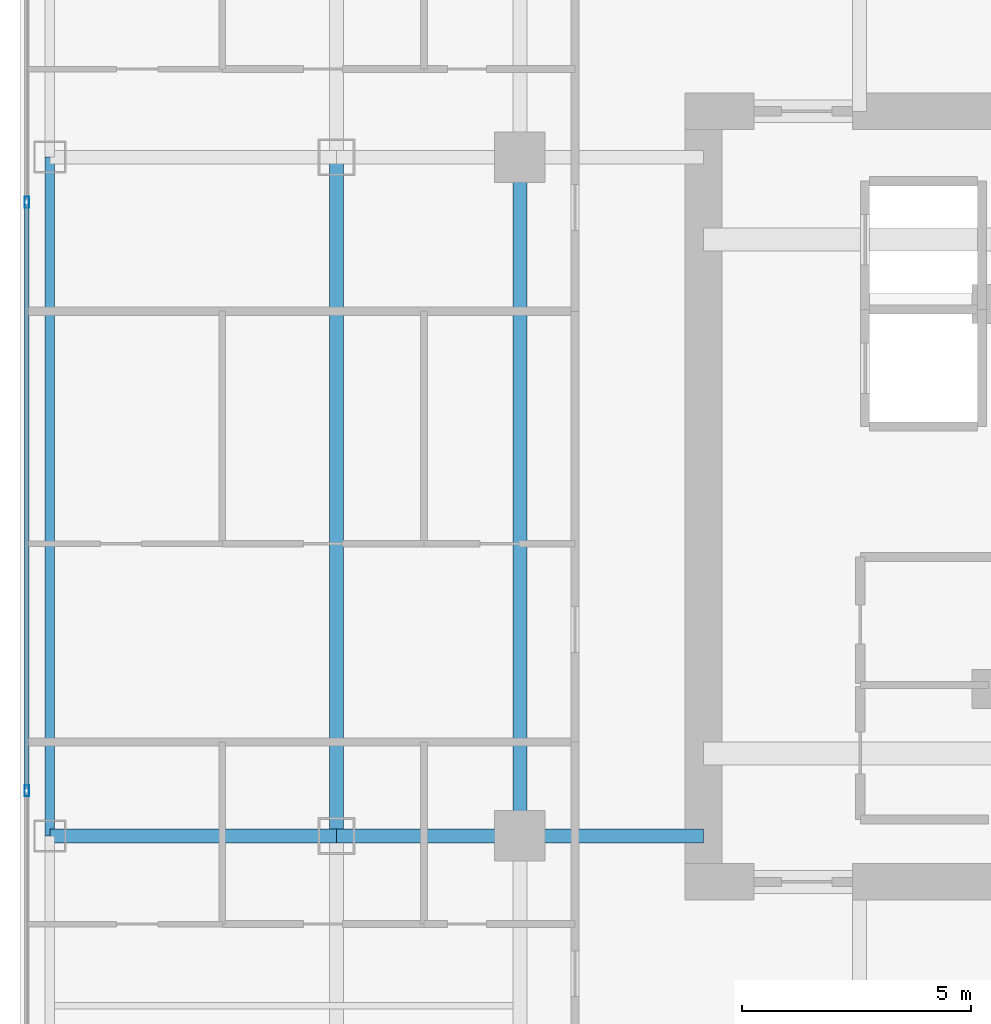
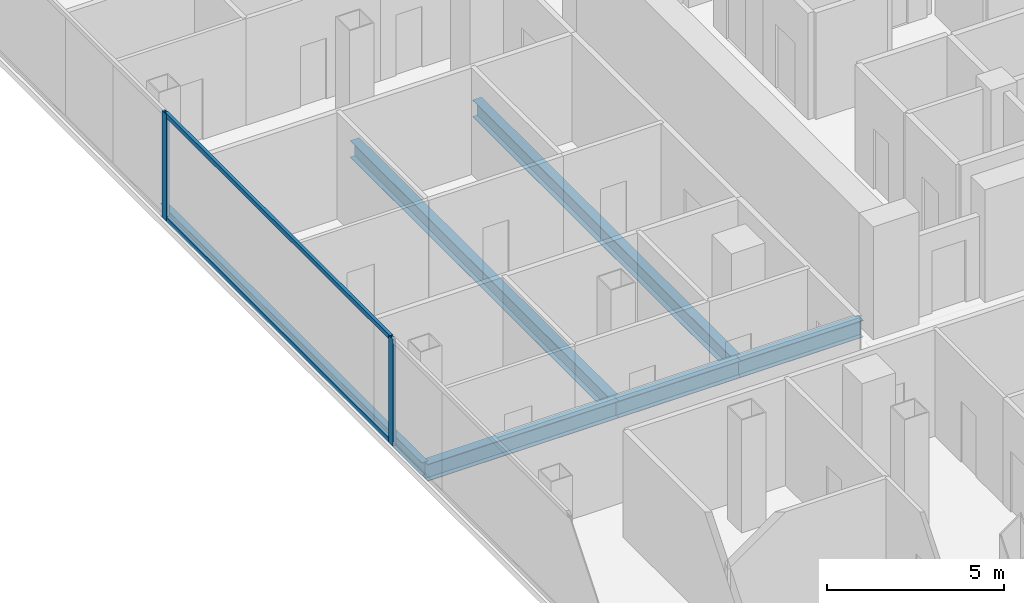
# One storey, part 5 of 26: 6 beams, 4 members, 1 element without a shape of its own.
"""IFC4 building model written with IfcOpenShell, lengths in metres."""

from ifc_helpers import new_model, si_unit, direction, frame, origin, origin_2d, place, context, subcontext, project, spatial, hollow_rectangle, i_section, extrude, material, layer, layer_set, material_profile, profile_set, type_object, element, aggregate, save


model = new_model("IFC4")

# Units and contexts
model_context = context("Model", 3, precision=1e-05, world=origin(), true_north=direction((0.0, 1.0)))
body_context = subcontext(model_context, "Body", "Model", "MODEL_VIEW")
ifc_project = project(units=[si_unit("LENGTHUNIT", "METRE"), si_unit("AREAUNIT", "SQUARE_METRE"), si_unit("VOLUMEUNIT", "CUBIC_METRE"), si_unit("PLANEANGLEUNIT", "RADIAN"), si_unit("MASSUNIT", "GRAM", prefix="KILO")], contexts=[model_context])

# Site, building, storey
site_placement = place(None, origin())
site = spatial("IfcSite", under=ifc_project, at=site_placement, CompositionType="ELEMENT")
building_placement = place(site_placement, origin())
building = spatial("IfcBuilding", under=site, at=building_placement, Name="Khorvyn Point Tower", CompositionType="ELEMENT")
storey_placement = place(building_placement, frame((0.0, 0.0, 183.60009765625)))
storey = spatial("IfcBuildingStorey", under=building, at=storey_placement, Name="L45", CompositionType="ELEMENT", Elevation=183.60009765625)

# Curtain wall, members
ifc_material_1 = material(Name="Anodised aluminium 6063-T6 and laminated Low-E glass", Category="aluminium")
ifc_layer = layer(ifc_material_1, 0.18994140625)
ifc_layer_set = layer_set([ifc_layer], Name="Stick-Built Acoustic Curtain Wall CW-SYS-03")
curtain_wall_type = type_object("IfcCurtainWallType", Name="Stick-Built Acoustic Curtain Wall CW-SYS-03", PredefinedType="NOTDEFINED", material=ifc_layer_set)
curtain_wall_placement = place(storey_placement, origin())
curtain_wall = element("IfcCurtainWall", 1, at=curtain_wall_placement, inside=storey, type_object=curtain_wall_type, Name="Curtain Wall", PredefinedType="NOTDEFINED")
ifc_material_2 = material(Name="Anodised aluminium 6063-T6", Category="aluminium")
ifc_material_profile_1 = material_profile(ifc_material_2, hollow_rectangle(XDim=0.10009765625, YDim=0.239990234375, WallThickness=0.0048828125, at=origin_2d()))
ifc_profile_set_1 = profile_set([ifc_material_profile_1], Name="Anodised aluminium 6063-T6 ALU-MUL-100x240")
member_type_1 = type_object("IfcMemberType", Name="Anodised Aluminium 6063-T6 Mullion ALU-MUL-100x240", PredefinedType="MULLION", material=ifc_profile_set_1)
member_1_placement = place(storey_placement, frame((-25.550048828125, -6.416748046875, 0.0), z_axis=(0.0, 0.0, 1.0), x_axis=(-1.0, 0.0, 0.0)))
member_1 = element("IfcMember", 2, at=member_1_placement, type_object=member_type_1, Name="Transom", PredefinedType="MULLION", context=body_context, shape_type="SweptSolid", body=[
    extrude(hollow_rectangle(XDim=0.10009765625, YDim=0.239990234375, WallThickness=0.0048828125, at=origin_2d()), origin(), (0.0, 0.0, 1.0), 3.679931640625),
])
member_2_placement = place(storey_placement, frame((-25.550048828125, 6.416748046875, 0.0), z_axis=(0.0, 0.0, 1.0), x_axis=(-1.0, 0.0, 0.0)))
member_2 = element("IfcMember", 3, at=member_2_placement, type_object=member_type_1, Name="Transom", PredefinedType="MULLION", context=body_context, shape_type="SweptSolid", body=[
    extrude(hollow_rectangle(XDim=0.10009765625, YDim=0.239990234375, WallThickness=0.0048828125, at=origin_2d()), origin(), (0.0, 0.0, 1.0), 3.679931640625),
])
ifc_material_profile_2 = material_profile(ifc_material_2, hollow_rectangle(XDim=0.10009765625, YDim=0.159912109375, WallThickness=0.00439453125, at=origin_2d()))
ifc_profile_set_2 = profile_set([ifc_material_profile_2], Name="Anodised aluminium 6063-T6 ALU-TRN-100x160")
member_type_2 = type_object("IfcMemberType", Name="Anodised Aluminium 6063-T6 Transom ALU-TRN-100x160", PredefinedType="USERDEFINED", material=ifc_profile_set_2)
member_3_placement = place(storey_placement, frame((-25.550048828125, -6.36669921875, 0.0498046875), z_axis=(0.0, 1.0, 0.0), x_axis=(-1.0, 0.0, 0.0)))
member_3 = element("IfcMember", 4, at=member_3_placement, type_object=member_type_2, Name="Transom", ObjectType="TRANSOM", PredefinedType="USERDEFINED", context=body_context, shape_type="SweptSolid", body=[
    extrude(hollow_rectangle(XDim=0.10009765625, YDim=0.159912109375, WallThickness=0.00439453125, at=origin_2d()), origin(), (0.0, 0.0, 1.0), 12.7333984375),
])
member_4_placement = place(storey_placement, frame((-25.550048828125, -6.36669921875, 3.6298828125), z_axis=(0.0, 1.0, 0.0), x_axis=(-1.0, 0.0, 0.0)))
member_4 = element("IfcMember", 5, at=member_4_placement, type_object=member_type_2, Name="Transom", ObjectType="TRANSOM", PredefinedType="USERDEFINED", context=body_context, shape_type="SweptSolid", body=[
    extrude(hollow_rectangle(XDim=0.10009765625, YDim=0.159912109375, WallThickness=0.00439453125, at=origin_2d()), origin(), (0.0, 0.0, 1.0), 12.7333984375),
])
aggregate(curtain_wall, [member_1, member_2, member_3, member_4])

# Beams
ifc_material_3 = material(Name="Steel S355", Category="steel")
ifc_material_profile_3 = material_profile(ifc_material_3, i_section(OverallWidth=0.300048828125, OverallDepth=0.587890625, WebThickness=0.011962890625, FlangeThickness=0.02001953125, at=origin_2d()))
ifc_profile_set_3 = profile_set([ifc_material_profile_3], Name="Steel S355 H588x300x12x20")
beam_type_1 = type_object("IfcBeamType", Name="Steel S355 Beam H588x300x12x20", PredefinedType="BEAM", material=ifc_profile_set_3)
beam_1_placement = place(storey_placement, frame((-25.050048828125, -7.39990234375, -0.51416015625), z_axis=(1.0, 0.0, 0.0), x_axis=(0.0, 1.0, 0.0)))
element("IfcBeam", 6, at=beam_1_placement, inside=storey, type_object=beam_type_1, Name="Beam", PredefinedType="BEAM", context=body_context, shape_type="SweptSolid", body=[
    extrude(i_section(OverallWidth=0.300048828125, OverallDepth=0.587890625, WebThickness=0.011962890625, FlangeThickness=0.02001953125, at=origin_2d()), origin(), (0.0, 0.0, 1.0), 6.25),
])
for number, where, z_axis, x_axis, name in (
    (7, (-18.800048828125, -7.39990234375, -0.51416015625), (1.0, 0.0, 0.0), (0.0, 1.0, 0.0), "Beam"),
    (8, (-14.800048828125, -7.39990234375, -0.51416015625), (1.0, 0.0, 0.0), (0.0, 1.0, 0.0), "Beam"),
):
    element("IfcBeam", number, at=place(storey_placement, frame(where, z_axis=z_axis, x_axis=x_axis)), inside=storey, type_object=beam_type_1, Name=name, PredefinedType="BEAM", context=body_context, shape_type="SweptSolid", body=[
        extrude(i_section(OverallWidth=0.300048828125, OverallDepth=0.587890625, WebThickness=0.011962890625, FlangeThickness=0.02001953125, at=origin_2d()), origin(), (0.0, 0.0, 1.0), 4.0),
    ])
for number, where, z_axis, x_axis, name in (
    (9, (-14.800048828125, -7.39990234375, -0.51416015625), (0.0, 1.0, 0.0), (-1.0, 0.0, 0.0), "Beam"),
    (10, (-18.800048828125, -7.39990234375, -0.51416015625), (0.0, 1.0, 0.0), (-1.0, 0.0, 0.0), "Beam"),
):
    element("IfcBeam", number, at=place(storey_placement, frame(where, z_axis=z_axis, x_axis=x_axis)), inside=storey, type_object=beam_type_1, Name=name, PredefinedType="BEAM", context=body_context, shape_type="SweptSolid", body=[
        extrude(i_section(OverallWidth=0.300048828125, OverallDepth=0.587890625, WebThickness=0.011962890625, FlangeThickness=0.02001953125, at=origin_2d()), origin(), (0.0, 0.0, 1.0), 14.7998046875),
    ])
ifc_material_profile_4 = material_profile(ifc_material_3, i_section(OverallWidth=0.199951171875, OverallDepth=0.449951171875, WebThickness=0.009033203125, FlangeThickness=0.013916015625, at=origin_2d()))
ifc_profile_set_4 = profile_set([ifc_material_profile_4], Name="Steel S355 H450x200x9x14")
beam_type_2 = type_object("IfcBeamType", Name="Steel S355 Spandrel H450x200x9x14", PredefinedType="SPANDREL", material=ifc_profile_set_4)
beam_2_placement = place(storey_placement, frame((-25.050048828125, -7.39990234375, -0.445068359375), z_axis=(0.0, 1.0, 0.0), x_axis=(-1.0, 0.0, 0.0)))
element("IfcBeam", 11, at=beam_2_placement, inside=storey, type_object=beam_type_2, Name="Beam", PredefinedType="SPANDREL", context=body_context, shape_type="SweptSolid", body=[
    extrude(i_section(OverallWidth=0.199951171875, OverallDepth=0.449951171875, WebThickness=0.009033203125, FlangeThickness=0.013916015625, at=origin_2d()), origin(), (0.0, 0.0, 1.0), 14.7998046875),
])

save(model, "model.ifc")
